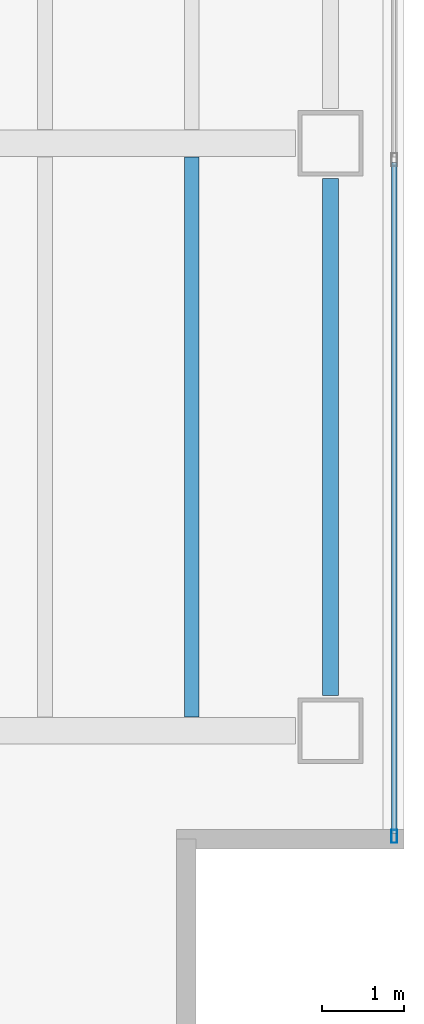
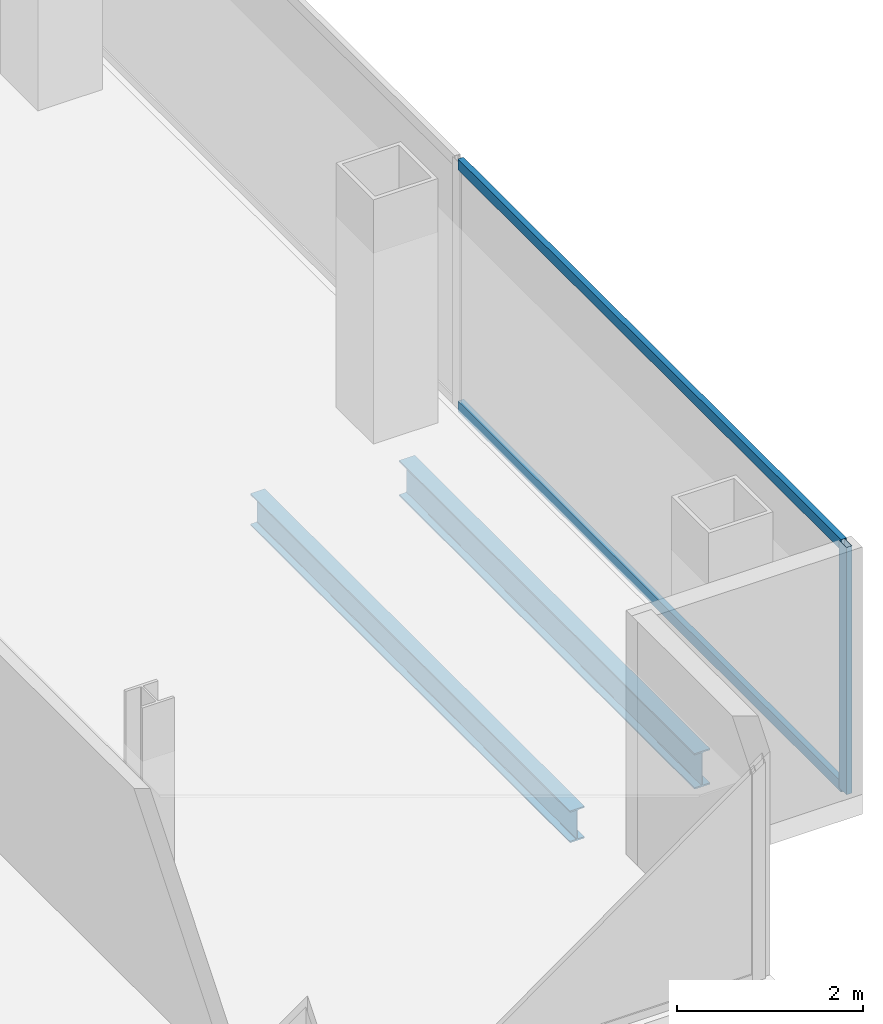
# One storey, part 12 of 23: 3 members, 2 beams, 1 element without a shape of its own.
"""IFC4 building model written with IfcOpenShell, lengths in metres."""

from ifc_helpers import new_model, si_unit, direction, frame, origin, origin_2d, place, context, subcontext, project, spatial, hollow_rectangle, i_section, extrude, material, material_profile, profile_set, type_object, element, aggregate, save


model = new_model("IFC4")

# Units and contexts
model_context = context("Model", 3, precision=1e-05, world=origin(), true_north=direction((0.0, 1.0)))
body_context = subcontext(model_context, "Body", "Model", "MODEL_VIEW")
ifc_project = project(units=[si_unit("LENGTHUNIT", "METRE"), si_unit("AREAUNIT", "SQUARE_METRE"), si_unit("VOLUMEUNIT", "CUBIC_METRE"), si_unit("PLANEANGLEUNIT", "RADIAN"), si_unit("MASSUNIT", "GRAM", prefix="KILO")], contexts=[model_context])

# Site, building, storey
site_placement = place(None, origin())
site = spatial("IfcSite", under=ifc_project, at=site_placement, CompositionType="ELEMENT")
building_placement = place(site_placement, origin())
building = spatial("IfcBuilding", under=site, at=building_placement, Name="Cobrela Telecom Tower", CompositionType="ELEMENT")
storey_placement = place(building_placement, frame((0.0, 0.0, 187.25)))
storey = spatial("IfcBuildingStorey", under=building, at=storey_placement, Name="L47", CompositionType="ELEMENT", Elevation=187.25)

# Beams
ifc_material_1 = material(Name="Steel ASTM A992 Grade 50", Category="steel")
ifc_material_profile_1 = material_profile(ifc_material_1, i_section(OverallWidth=0.179931640625, OverallDepth=0.4169921875, WebThickness=0.010986328125, FlangeThickness=0.01806640625, FilletRadius=0.011962890625, at=origin_2d()), Name="W16X57")
ifc_profile_set_1 = profile_set([ifc_material_profile_1], Name="Steel ASTM A992 Grade 50")
beam_type_1 = type_object("IfcBeamType", Name="BM-JOIST-04", PredefinedType="JOIST", material=ifc_profile_set_1)
beam_1_placement = place(storey_placement, frame((41.39990234375, 7.368896484375, -0.468505859375), z_axis=(0.0, 1.0, 0.0), x_axis=(-1.0, 0.0, 0.0)))
element("IfcBeam", 1, at=beam_1_placement, inside=storey, type_object=beam_type_1, Name="L47 Secondary Composite Floor Beam J29", PredefinedType="JOIST", context=body_context, shape_type="SweptSolid", body=[
    extrude(i_section(OverallWidth=0.179931640625, OverallDepth=0.4169921875, WebThickness=0.010986328125, FlangeThickness=0.01806640625, FilletRadius=0.011962890625, at=origin_2d()), origin(), (0.0, 0.0, 1.0), 6.862060546875),
])
ifc_material_profile_2 = material_profile(ifc_material_1, i_section(OverallWidth=0.193115234375, OverallDepth=0.467041015625, WebThickness=0.011474609375, FlangeThickness=0.01904296875, FilletRadius=0.012939453125, at=origin_2d()), Name="W18X65")
ifc_profile_set_2 = profile_set([ifc_material_profile_2], Name="Steel ASTM A992 Grade 50")
beam_type_2 = type_object("IfcBeamType", Name="BM-SPAND-05", PredefinedType="SPANDREL", material=ifc_profile_set_2)
beam_2_placement = place(storey_placement, frame((43.10009765625, 7.6298828125, -0.493408203125), z_axis=(0.0, 1.0, 0.0), x_axis=(-1.0, 0.0, 0.0)))
element("IfcBeam", 2, at=beam_2_placement, inside=storey, type_object=beam_type_2, Name="L47 Perimeter Spandrel Y42", PredefinedType="SPANDREL", context=body_context, shape_type="SweptSolid", body=[
    extrude(i_section(OverallWidth=0.193115234375, OverallDepth=0.467041015625, WebThickness=0.011474609375, FlangeThickness=0.01904296875, FilletRadius=0.012939453125, at=origin_2d()), origin(), (0.0, 0.0, 1.0), 6.340087890625),
])

# Curtain wall, members
ifc_material_2 = material(Name="Anodized Bronze Aluminium 6063-T6", Category="aluminium")
curtain_wall_type = type_object("IfcCurtainWallType", Name="CW-SYS-OFF-LO", PredefinedType="USERDEFINED", material=ifc_material_2)
curtain_wall_placement = place(storey_placement, origin())
curtain_wall = element("IfcCurtainWall", 3, at=curtain_wall_placement, inside=storey, type_object=curtain_wall_type, Name="L47 Unitised Bronze Curtain Wall 14", ObjectType="UNITISED CURTAIN WALL", PredefinedType="USERDEFINED")
ifc_material_profile_3 = material_profile(ifc_material_2, hollow_rectangle(XDim=0.070068359375, YDim=0.159912109375, WallThickness=0.00390625, at=origin_2d()), Name="ALU 70x160x4")
ifc_profile_set_3 = profile_set([ifc_material_profile_3], Name="Anodized Bronze Aluminium 6063-T6")
member_type_1 = type_object("IfcMemberType", Name="CW-SYS-OFF-LO-MUL", PredefinedType="MULLION", material=ifc_profile_set_3)
member_1_placement = place(storey_placement, frame((43.8798828125, 5.905029296875, 0.0), z_axis=(0.0, 0.0, 1.0), x_axis=(1.0, 0.0, 0.0)))
member_1 = element("IfcMember", 4, at=member_1_placement, type_object=member_type_1, Name="CW-OFF-LO mullion 3", PredefinedType="MULLION", context=body_context, shape_type="SweptSolid", body=[
    extrude(hollow_rectangle(XDim=0.070068359375, YDim=0.159912109375, WallThickness=0.00390625, at=origin_2d()), origin(), (0.0, 0.0, 1.0), 3.239990234375),
])
ifc_material_profile_4 = material_profile(ifc_material_2, hollow_rectangle(XDim=0.070068359375, YDim=0.139892578125, WallThickness=0.00390625, at=origin_2d()), Name="ALU 70x140x4")
ifc_profile_set_4 = profile_set([ifc_material_profile_4], Name="Anodized Bronze Aluminium 6063-T6")
member_type_2 = type_object("IfcMemberType", Name="CW-SYS-OFF-LO-TRN", PredefinedType="USERDEFINED", material=ifc_profile_set_4)
member_2_placement = place(storey_placement, frame((43.8798828125, 14.1650390625, 0.034912109375), z_axis=(0.0, -1.0, 0.0), x_axis=(1.0, 0.0, 0.0)))
member_2 = element("IfcMember", 5, at=member_2_placement, type_object=member_type_2, Name="CW-OFF-LO transom 2.1", ObjectType="TRANSOM", PredefinedType="USERDEFINED", context=body_context, shape_type="SweptSolid", body=[
    extrude(hollow_rectangle(XDim=0.070068359375, YDim=0.139892578125, WallThickness=0.00390625, at=origin_2d()), origin(), (0.0, 0.0, 1.0), 8.22509765625),
])
member_3_placement = place(storey_placement, frame((43.8798828125, 14.1650390625, 3.205078125), z_axis=(0.0, -1.0, 0.0), x_axis=(1.0, 0.0, 0.0)))
member_3 = element("IfcMember", 6, at=member_3_placement, type_object=member_type_2, Name="CW-OFF-LO transom 2.2", ObjectType="TRANSOM", PredefinedType="USERDEFINED", context=body_context, shape_type="SweptSolid", body=[
    extrude(hollow_rectangle(XDim=0.070068359375, YDim=0.139892578125, WallThickness=0.00390625, at=origin_2d()), origin(), (0.0, 0.0, 1.0), 8.22509765625),
])
aggregate(curtain_wall, [member_1, member_2, member_3])

save(model, "model.ifc")
